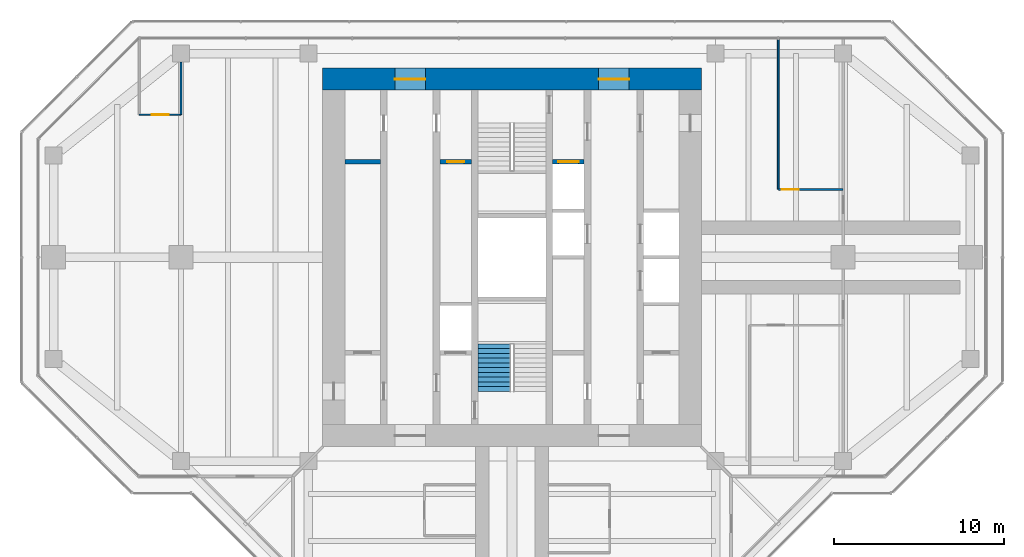
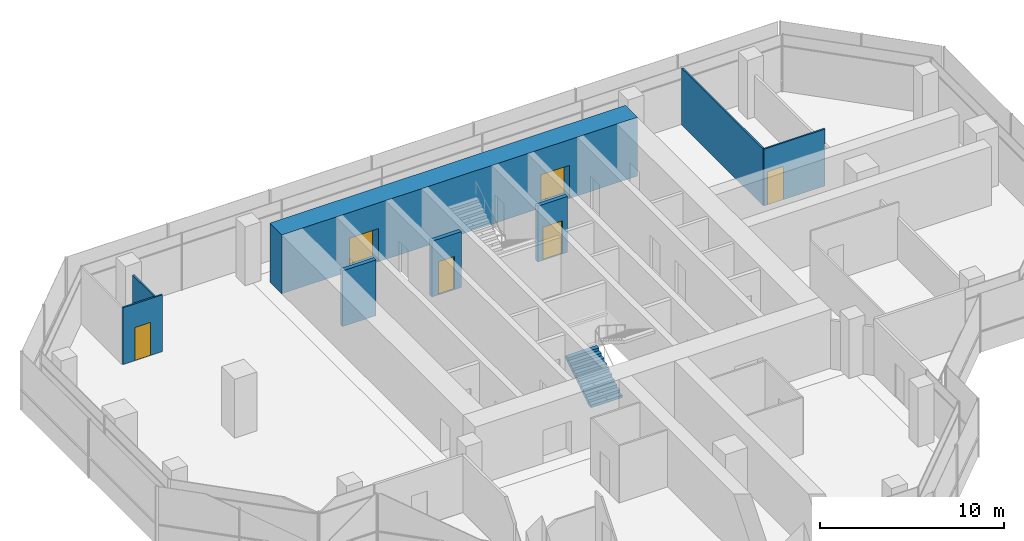
# One storey, part 13 of 15: 8 walls, 6 doors, 1 stair flight, 6 openings, 1 element without a shape of its own.
"""IFC4 building model written with IfcOpenShell, lengths in metres."""

from ifc_helpers import new_model, si_unit, direction, frame, frame_2d, origin, place, context, subcontext, project, spatial, polyline, rectangle, outline, extrude, material, layer, layer_set, type_object, element, fill, aggregate, save


model = new_model("IFC4")

# Units and contexts
model_context = context("Model", 3, precision=1e-05, world=origin(), true_north=direction((0.0, 1.0)))
body_context = subcontext(model_context, "Body", "Model", "MODEL_VIEW")
ifc_project = project(units=[si_unit("LENGTHUNIT", "METRE"), si_unit("AREAUNIT", "SQUARE_METRE"), si_unit("VOLUMEUNIT", "CUBIC_METRE"), si_unit("PLANEANGLEUNIT", "RADIAN"), si_unit("MASSUNIT", "GRAM", prefix="KILO")], contexts=[model_context])

# Site, building, storey
site_placement = place(None, origin())
site = spatial("IfcSite", under=ifc_project, at=site_placement, CompositionType="ELEMENT")
building_placement = place(site_placement, origin())
building = spatial("IfcBuilding", under=site, at=building_placement, Name="Mizan Broadcast Tower", CompositionType="ELEMENT")
storey_placement = place(building_placement, frame((0.0, 0.0, 275.10009765625)))
storey = spatial("IfcBuildingStorey", under=building, at=storey_placement, Name="L65", CompositionType="ELEMENT", Elevation=275.10009765625)

# Wall, openings, doors
ifc_material_1 = material(Name="Concrete C70/85", Category="concrete")
ifc_layer_1 = layer(ifc_material_1, 1.300048828125)
ifc_layer_set_1 = layer_set([ifc_layer_1], Name="Concrete C70/85")
wall_type_1 = type_object("IfcWallType", Name="CORE WALL 1300", PredefinedType="SHEAR", material=ifc_layer_set_1)
wall_1_placement = place(storey_placement, frame((-11.14990234375, 10.5, 0.0), z_axis=(0.0, 0.0, 1.0), x_axis=(1.0, 0.0, 0.0)))
wall_1 = element("IfcWall", 1, at=wall_1_placement, inside=storey, type_object=wall_type_1, Name="Core wall N L65", PredefinedType="SHEAR", context=body_context, shape_type="SweptSolid", body=[
    extrude(rectangle(XDim=22.2998046875, YDim=1.300048828125, at=frame_2d((11.14990234375, 0.0))), origin(), (0.0, 0.0, 1.0), 3.89990234375),
])
opening_1_placement = place(wall_1_placement, frame((4.25, 0.0, 0.0)))
opening_1 = element("IfcOpeningElement", 2, at=opening_1_placement, cuts=wall_1, Name="Opening D18F", PredefinedType="OPENING", context=body_context, shape_type="SweptSolid", body=[
    extrude(rectangle(XDim=1.800048828125, YDim=2.199951171875, at=frame_2d((0.89990234375, 1.10009765625))), frame((0.0, 0.659912109375, 0.0), z_axis=(0.0, -1.0, 0.0), x_axis=(1.0, 0.0, 0.0)), (0.0, 0.0, 1.0), 1.320068359375),
])
opening_2_placement = place(wall_1_placement, frame((16.25, 0.0, 0.0)))
opening_2 = element("IfcOpeningElement", 3, at=opening_2_placement, cuts=wall_1, Name="Opening D18F", PredefinedType="OPENING", context=body_context, shape_type="SweptSolid", body=[
    extrude(rectangle(XDim=1.800048828125, YDim=2.199951171875, at=frame_2d((0.89990234375, 1.10009765625))), frame((0.0, 0.659912109375, 0.0), z_axis=(0.0, -1.0, 0.0), x_axis=(1.0, 0.0, 0.0)), (0.0, 0.0, 1.0), 1.320068359375),
])
ifc_material_2 = material(Name="Steel door leaf in steel frame", Category="steel")
door_type_1 = type_object("IfcDoorType", Name="LOBBY DOUBLE DOOR 1800 FD90", OperationType="DOUBLE_DOOR_DOUBLE_SWING", PredefinedType="DOOR", material=ifc_material_2)
door_1_placement = place(opening_1_placement, origin())
door_1 = element("IfcDoor", 4, at=door_1_placement, inside=storey, type_object=door_type_1, Name="West lift lobby north door", OperationType="DOUBLE_DOOR_DOUBLE_SWING", OverallHeight=2.199951171875, OverallWidth=1.800048828125, PredefinedType="DOOR", context=body_context, shape_type="SweptSolid", body=[
    extrude(rectangle(XDim=1.800048828125, YDim=2.199951171875, at=frame_2d((0.89990234375, 1.10009765625))), frame((0.0, 0.02490234375, 0.0), z_axis=(0.0, -1.0, 0.0), x_axis=(1.0, 0.0, 0.0)), (0.0, 0.0, 1.0), 0.050048828125),
])
fill(opening_1, door_1)
door_2_placement = place(opening_2_placement, origin())
door_2 = element("IfcDoor", 5, at=door_2_placement, inside=storey, type_object=door_type_1, Name="East lift lobby north door", OperationType="DOUBLE_DOOR_DOUBLE_SWING", OverallHeight=2.199951171875, OverallWidth=1.800048828125, PredefinedType="DOOR", context=body_context, shape_type="SweptSolid", body=[
    extrude(rectangle(XDim=1.800048828125, YDim=2.199951171875, at=frame_2d((0.89990234375, 1.10009765625))), frame((0.0, 0.02490234375, 0.0), z_axis=(0.0, -1.0, 0.0), x_axis=(1.0, 0.0, 0.0)), (0.0, 0.0, 1.0), 0.050048828125),
])
fill(opening_2, door_2)

# Wall
ifc_material_3 = material(Name="Concrete blockwork", Category="masonry")
ifc_layer_2 = layer(ifc_material_3, 0.25)
ifc_layer_set_2 = layer_set([ifc_layer_2], Name="Concrete blockwork")
wall_type_2 = type_object("IfcWallType", Name="LOBBY ENCLOSURE WALL 250", PredefinedType="SOLIDWALL", material=ifc_layer_set_2)
wall_2_placement = place(storey_placement, frame((-9.85009765625, 5.625, 0.0), z_axis=(0.0, 0.0, 1.0), x_axis=(1.0, 0.0, 0.0)))
element("IfcWall", 6, at=wall_2_placement, inside=storey, type_object=wall_type_2, Name="Lobby enclosure wall CORE/BW1N", PredefinedType="SOLIDWALL", context=body_context, shape_type="SweptSolid", body=[
    extrude(rectangle(XDim=2.10009765625, YDim=0.25, at=frame_2d((1.050048828125, 0.0))), origin(), (0.0, 0.0, 1.0), 3.699951171875),
])

# Wall, opening, door
wall_3_placement = place(storey_placement, frame((-4.25, 5.625, 0.0), z_axis=(0.0, 0.0, 1.0), x_axis=(1.0, 0.0, 0.0)))
wall_3 = element("IfcWall", 7, at=wall_3_placement, inside=storey, type_object=wall_type_2, Name="Lobby enclosure wall CORE/BW2N", PredefinedType="SOLIDWALL", context=body_context, shape_type="SweptSolid", body=[
    extrude(rectangle(XDim=1.85009765625, YDim=0.25, at=frame_2d((0.925048828125, 0.0))), origin(), (0.0, 0.0, 1.0), 3.699951171875),
])
opening_3_placement = place(wall_3_placement, frame((0.425048828125, 0.0, 0.0)))
opening_3 = element("IfcOpeningElement", 8, at=opening_3_placement, cuts=wall_3, Name="Opening D10F", PredefinedType="OPENING", context=body_context, shape_type="SweptSolid", body=[
    extrude(rectangle(XDim=1.0, YDim=2.199951171875, at=frame_2d((0.5, 1.10009765625))), frame((0.0, 0.135009765625, 0.0), z_axis=(0.0, -1.0, 0.0), x_axis=(1.0, 0.0, 0.0)), (0.0, 0.0, 1.0), 0.27001953125),
])
ifc_material_4 = material(Name="Steel door leaf in steel frame", Category="steel")
door_type_2 = type_object("IfcDoorType", Name="FIRE DOOR 1000 FD90", OperationType="SINGLE_SWING_LEFT", PredefinedType="DOOR", material=ifc_material_4)
door_3_placement = place(opening_3_placement, origin())
door_3 = element("IfcDoor", 9, at=door_3_placement, inside=storey, type_object=door_type_2, Name="Accessible shower room door", OperationType="SINGLE_SWING_RIGHT", OverallHeight=2.199951171875, OverallWidth=1.0, PredefinedType="DOOR", context=body_context, shape_type="SweptSolid", body=[
    extrude(rectangle(XDim=1.0, YDim=2.199951171875, at=frame_2d((0.5, 1.10009765625))), frame((0.0, 0.02490234375, 0.0), z_axis=(0.0, -1.0, 0.0), x_axis=(1.0, 0.0, 0.0)), (0.0, 0.0, 1.0), 0.050048828125),
])
fill(opening_3, door_3)

wall_4_placement = place(storey_placement, frame((2.39990234375, 5.625, 0.0), z_axis=(0.0, 0.0, 1.0), x_axis=(1.0, 0.0, 0.0)))
wall_4 = element("IfcWall", 10, at=wall_4_placement, inside=storey, type_object=wall_type_2, Name="Lobby enclosure wall CORE/BE2N", PredefinedType="SOLIDWALL", context=body_context, shape_type="SweptSolid", body=[
    extrude(rectangle(XDim=1.85009765625, YDim=0.25, at=frame_2d((0.925048828125, 0.0))), origin(), (0.0, 0.0, 1.0), 3.699951171875),
])
opening_4_placement = place(wall_4_placement, frame((0.324951171875, 0.0, 0.0)))
opening_4 = element("IfcOpeningElement", 11, at=opening_4_placement, cuts=wall_4, Name="Opening LDF", PredefinedType="OPENING", context=body_context, shape_type="SweptSolid", body=[
    extrude(rectangle(XDim=1.199951171875, YDim=2.199951171875, at=frame_2d((0.60009765625, 1.10009765625))), frame((0.0, 0.135009765625, 0.0), z_axis=(0.0, -1.0, 0.0), x_axis=(1.0, 0.0, 0.0)), (0.0, 0.0, 1.0), 0.27001953125),
])
ifc_material_5 = material(Name="Steel door leaf in steel frame", Category="steel")
door_type_3 = type_object("IfcDoorType", Name="FIREFIGHTING LIFT LANDING DOOR 1200", OperationType="SLIDING_TO_LEFT", PredefinedType="DOOR", material=ifc_material_5)
door_4_placement = place(opening_4_placement, origin())
door_4 = element("IfcDoor", 12, at=door_4_placement, inside=storey, type_object=door_type_3, Name="Landing door FF2", OperationType="SLIDING_TO_LEFT", OverallHeight=2.199951171875, OverallWidth=1.199951171875, PredefinedType="DOOR", context=body_context, shape_type="SweptSolid", body=[
    extrude(rectangle(XDim=1.199951171875, YDim=2.199951171875, at=frame_2d((0.60009765625, 1.10009765625))), frame((0.0, 0.02490234375, 0.0), z_axis=(0.0, -1.0, 0.0), x_axis=(1.0, 0.0, 0.0)), (0.0, 0.0, 1.0), 0.050048828125),
])
fill(opening_4, door_4)

ifc_material_6 = material(Name="Glazed aluminium partition on aluminium track", Category="aluminium")
ifc_layer_3 = layer(ifc_material_6, 0.10009765625)
ifc_layer_set_3 = layer_set([ifc_layer_3], Name="Glazed aluminium partition on aluminium track")
wall_type_3 = type_object("IfcWallType", Name="PARTITION GLAZED OFFICE FRONT 100", PredefinedType="PARTITIONING", material=ifc_layer_set_3)
wall_5_placement = place(storey_placement, frame((15.68505859375, 4.0, 0.0), z_axis=(0.0, 0.0, 1.0), x_axis=(1.0, 0.0, 0.0)))
wall_5 = element("IfcWall", 13, at=wall_5_placement, inside=storey, type_object=wall_type_3, Name="Glazed office front PT/ECP0", PredefinedType="PARTITIONING", context=body_context, shape_type="SweptSolid", body=[
    extrude(rectangle(XDim=3.81494140625, YDim=0.10009765625, at=frame_2d((1.907470703125, 0.0))), origin(), (0.0, 0.0, 1.0), 3.77001953125),
])
opening_5_placement = place(wall_5_placement, frame((0.20751953125, 0.0, 0.0)))
opening_5 = element("IfcOpeningElement", 14, at=opening_5_placement, cuts=wall_5, Name="Opening D10O", PredefinedType="OPENING", context=body_context, shape_type="SweptSolid", body=[
    extrude(rectangle(XDim=1.0, YDim=2.199951171875, at=frame_2d((0.5, 1.10009765625))), frame((0.0, 0.06005859375, 0.0), z_axis=(0.0, -1.0, 0.0), x_axis=(1.0, 0.0, 0.0)), (0.0, 0.0, 1.0), 0.1201171875),
])
ifc_material_7 = material(Name="Timber door leaf in aluminium frame", Category="wood")
door_type_4 = type_object("IfcDoorType", Name="OFFICE DOOR 1000 GLAZED", OperationType="SINGLE_SWING_LEFT", PredefinedType="DOOR", material=ifc_material_7)
door_5_placement = place(opening_5_placement, origin())
door_5 = element("IfcDoor", 15, at=door_5_placement, inside=storey, type_object=door_type_4, Name="Engineering office door", OperationType="SINGLE_SWING_LEFT", OverallHeight=2.199951171875, OverallWidth=1.0, PredefinedType="DOOR", context=body_context, shape_type="SweptSolid", body=[
    extrude(rectangle(XDim=1.0, YDim=2.199951171875, at=frame_2d((0.5, 1.10009765625))), frame((0.0, 0.02490234375, 0.0), z_axis=(0.0, -1.0, 0.0), x_axis=(1.0, 0.0, 0.0)), (0.0, 0.0, 1.0), 0.050048828125),
])
fill(opening_5, door_5)

# Wall
wall_6_placement = place(storey_placement, frame((15.68505859375, 4.0, 0.0), z_axis=(0.0, 0.0, 1.0), x_axis=(0.0, 1.0, 0.0)))
element("IfcWall", 16, at=wall_6_placement, inside=storey, type_object=wall_type_3, Name="Glazed office front PT/EQP1568", PredefinedType="PARTITIONING", context=body_context, shape_type="SweptSolid", body=[
    extrude(rectangle(XDim=8.820068359375, YDim=0.10009765625, at=frame_2d((4.41015625, 0.0))), origin(), (0.0, 0.0, 1.0), 3.77001953125),
])

# Wall, opening, door
wall_7_placement = place(storey_placement, frame((-19.5, 8.39990234375, 0.0), z_axis=(0.0, 0.0, 1.0), x_axis=(-1.0, 0.0, 0.0)))
wall_7 = element("IfcWall", 17, at=wall_7_placement, inside=storey, type_object=wall_type_3, Name="Glazed office front PT/WCN0", PredefinedType="PARTITIONING", context=body_context, shape_type="SweptSolid", body=[
    extrude(rectangle(XDim=2.458984375, YDim=0.10009765625, at=frame_2d((1.2294921875, 0.0))), origin(), (0.0, 0.0, 1.0), 3.77001953125),
])
opening_6_placement = place(wall_7_placement, frame((0.7294921875, 0.0, 0.0)))
opening_6 = element("IfcOpeningElement", 18, at=opening_6_placement, cuts=wall_7, Name="Opening D10O", PredefinedType="OPENING", context=body_context, shape_type="SweptSolid", body=[
    extrude(rectangle(XDim=1.0, YDim=2.199951171875, at=frame_2d((0.5, 1.10009765625))), frame((0.0, 0.06005859375, 0.0), z_axis=(0.0, -1.0, 0.0), x_axis=(1.0, 0.0, 0.0)), (0.0, 0.0, 1.0), 0.1201171875),
])
door_6_placement = place(opening_6_placement, origin())
door_6 = element("IfcDoor", 19, at=door_6_placement, inside=storey, type_object=door_type_4, Name="Office door", OperationType="SINGLE_SWING_LEFT", OverallHeight=2.199951171875, OverallWidth=1.0, PredefinedType="DOOR", context=body_context, shape_type="SweptSolid", body=[
    extrude(rectangle(XDim=1.0, YDim=2.199951171875, at=frame_2d((0.5, 1.10009765625))), frame((0.0, 0.02490234375, 0.0), z_axis=(0.0, -1.0, 0.0), x_axis=(1.0, 0.0, 0.0)), (0.0, 0.0, 1.0), 0.050048828125),
])
fill(opening_6, door_6)

# Wall
wall_8_placement = place(storey_placement, frame((-19.5, 8.39990234375, 0.0), z_axis=(0.0, 0.0, 1.0), x_axis=(0.0, 1.0, 0.0)))
element("IfcWall", 20, at=wall_8_placement, inside=storey, type_object=wall_type_3, Name="Glazed office front PT/WQN1950", PredefinedType="PARTITIONING", context=body_context, shape_type="SweptSolid", body=[
    extrude(rectangle(XDim=3.10009765625, YDim=0.10009765625, at=frame_2d((1.550048828125, 0.0))), origin(), (0.0, 0.0, 1.0), 3.179931640625),
])

# Stair, stair flight
ifc_material_8 = material(Name="Concrete C40/50", Category="concrete")
stair_type = type_object("IfcStairType", Name="EXIT STAIR", PredefinedType="HALF_TURN_STAIR", material=ifc_material_8)
stair_placement = place(storey_placement, origin())
stair = element("IfcStair", 21, at=stair_placement, inside=storey, type_object=stair_type, Name="Stair A L65", PredefinedType="HALF_TURN_STAIR")
ifc_material_9 = material(Name="Concrete C40/50", Category="concrete")
stair_flight_type = type_object("IfcStairFlightType", Name="EXIT STAIR FLIGHT", PredefinedType="STRAIGHT", material=ifc_material_9)
stair_flight_placement = place(storey_placement, frame((-1.02490234375, -7.89990234375, 0.0), z_axis=(0.0, 0.0, 1.0), x_axis=(0.0, 1.0, 0.0)))
stair_flight = element("IfcStairFlight", 22, at=stair_flight_placement, type_object=stair_flight_type, Name="A flight 1", NumberOfRisers=11, NumberOfTreads=10, PredefinedType="STRAIGHT", RiserHeight=0.177272727, TreadLength=0.28, context=body_context, shape_type="SweptSolid", body=[
    extrude(outline(polyline([(0.0, 0.0), (0.0, 0.17724609375), (0.280029296875, 0.17724609375), (0.280029296875, 0.3544921875), (0.56005859375, 0.3544921875), (0.56005859375, 0.53173828125), (0.840087890625, 0.53173828125), (0.840087890625, 0.708984375), (1.1201171875, 0.708984375), (1.1201171875, 0.886474609375), (1.39990234375, 0.886474609375), (1.39990234375, 1.063720703125), (1.679931640625, 1.063720703125), (1.679931640625, 1.240966796875), (1.9599609375, 1.240966796875), (1.9599609375, 1.418212890625), (2.239990234375, 1.418212890625), (2.239990234375, 1.595458984375), (2.52001953125, 1.595458984375), (2.52001953125, 1.772705078125), (2.800048828125, 1.772705078125), (2.800048828125, 1.949951171875), (2.800048828125, 1.59521484375), (0.2802734375, 0.0), (0.0, 0.0)])), frame((0.0, 0.97509765625, 0.0), z_axis=(0.0, -1.0, 0.0), x_axis=(1.0, 0.0, 0.0)), (0.0, 0.0, 1.0), 0.4873046875),
    extrude(outline(polyline([(0.0, 0.0), (0.0, 0.17724609375), (0.280029296875, 0.17724609375), (0.280029296875, 0.3544921875), (0.56005859375, 0.3544921875), (0.56005859375, 0.53173828125), (0.840087890625, 0.53173828125), (0.840087890625, 0.708984375), (1.1201171875, 0.708984375), (1.1201171875, 0.886474609375), (1.39990234375, 0.886474609375), (1.39990234375, 1.063720703125), (1.679931640625, 1.063720703125), (1.679931640625, 1.240966796875), (1.9599609375, 1.240966796875), (1.9599609375, 1.418212890625), (2.239990234375, 1.418212890625), (2.239990234375, 1.595458984375), (2.52001953125, 1.595458984375), (2.52001953125, 1.772705078125), (2.800048828125, 1.772705078125), (2.800048828125, 1.949951171875), (2.800048828125, 1.59521484375), (0.2802734375, 0.0), (0.0, 0.0)])), frame((0.0, 0.4873046875, 0.0), z_axis=(0.0, -1.0, 0.0), x_axis=(1.0, 0.0, 0.0)), (0.0, 0.0, 1.0), 0.2431640625),
    extrude(outline(polyline([(0.0, 0.0), (0.0, 0.17724609375), (0.280029296875, 0.17724609375), (0.280029296875, 0.3544921875), (0.56005859375, 0.3544921875), (0.56005859375, 0.53173828125), (0.840087890625, 0.53173828125), (0.840087890625, 0.708984375), (1.1201171875, 0.708984375), (1.1201171875, 0.886474609375), (1.39990234375, 0.886474609375), (1.39990234375, 1.063720703125), (1.679931640625, 1.063720703125), (1.679931640625, 1.240966796875), (1.9599609375, 1.240966796875), (1.9599609375, 1.418212890625), (2.239990234375, 1.418212890625), (2.239990234375, 1.595458984375), (2.52001953125, 1.595458984375), (2.52001953125, 1.772705078125), (2.800048828125, 1.772705078125), (2.800048828125, 1.949951171875), (2.800048828125, 1.59521484375), (0.2802734375, 0.0), (0.0, 0.0)])), frame((0.0, 0.24365234375, 0.0), z_axis=(0.0, -1.0, 0.0), x_axis=(1.0, 0.0, 0.0)), (0.0, 0.0, 1.0), 0.121337890625),
    extrude(outline(polyline([(0.0, 0.0), (0.0, 0.17724609375), (0.280029296875, 0.17724609375), (0.280029296875, 0.3544921875), (0.56005859375, 0.3544921875), (0.56005859375, 0.53173828125), (0.840087890625, 0.53173828125), (0.840087890625, 0.708984375), (1.1201171875, 0.708984375), (1.1201171875, 0.886474609375), (1.39990234375, 0.886474609375), (1.39990234375, 1.063720703125), (1.679931640625, 1.063720703125), (1.679931640625, 1.240966796875), (1.9599609375, 1.240966796875), (1.9599609375, 1.418212890625), (2.239990234375, 1.418212890625), (2.239990234375, 1.595458984375), (2.52001953125, 1.595458984375), (2.52001953125, 1.772705078125), (2.800048828125, 1.772705078125), (2.800048828125, 1.949951171875), (2.800048828125, 1.59521484375), (0.2802734375, 0.0), (0.0, 0.0)])), frame((0.0, 0.121826171875, 0.0), z_axis=(0.0, -1.0, 0.0), x_axis=(1.0, 0.0, 0.0)), (0.0, 0.0, 1.0), 0.060546875),
    extrude(outline(polyline([(0.0, 0.0), (0.0, 0.17724609375), (0.280029296875, 0.17724609375), (0.280029296875, 0.3544921875), (0.56005859375, 0.3544921875), (0.56005859375, 0.53173828125), (0.840087890625, 0.53173828125), (0.840087890625, 0.708984375), (1.1201171875, 0.708984375), (1.1201171875, 0.886474609375), (1.39990234375, 0.886474609375), (1.39990234375, 1.063720703125), (1.679931640625, 1.063720703125), (1.679931640625, 1.240966796875), (1.9599609375, 1.240966796875), (1.9599609375, 1.418212890625), (2.239990234375, 1.418212890625), (2.239990234375, 1.595458984375), (2.52001953125, 1.595458984375), (2.52001953125, 1.772705078125), (2.800048828125, 1.772705078125), (2.800048828125, 1.949951171875), (2.800048828125, 1.59521484375), (0.2802734375, 0.0), (0.0, 0.0)])), frame((0.0, 0.060791015625, 0.0), z_axis=(0.0, -1.0, 0.0), x_axis=(1.0, 0.0, 0.0)), (0.0, 0.0, 1.0), 0.030029296875),
    extrude(outline(polyline([(0.0, 0.0), (0.0, 0.17724609375), (0.280029296875, 0.17724609375), (0.280029296875, 0.3544921875), (0.56005859375, 0.3544921875), (0.56005859375, 0.53173828125), (0.840087890625, 0.53173828125), (0.840087890625, 0.708984375), (1.1201171875, 0.708984375), (1.1201171875, 0.886474609375), (1.39990234375, 0.886474609375), (1.39990234375, 1.063720703125), (1.679931640625, 1.063720703125), (1.679931640625, 1.240966796875), (1.9599609375, 1.240966796875), (1.9599609375, 1.418212890625), (2.239990234375, 1.418212890625), (2.239990234375, 1.595458984375), (2.52001953125, 1.595458984375), (2.52001953125, 1.772705078125), (2.800048828125, 1.772705078125), (2.800048828125, 1.949951171875), (2.800048828125, 1.59521484375), (0.2802734375, 0.0), (0.0, 0.0)])), frame((0.0, 0.0302734375, 0.0), z_axis=(0.0, -1.0, 0.0), x_axis=(1.0, 0.0, 0.0)), (0.0, 0.0, 1.0), 0.060302734375),
    extrude(outline(polyline([(0.0, 0.0), (0.0, 0.17724609375), (0.280029296875, 0.17724609375), (0.280029296875, 0.3544921875), (0.56005859375, 0.3544921875), (0.56005859375, 0.53173828125), (0.840087890625, 0.53173828125), (0.840087890625, 0.708984375), (1.1201171875, 0.708984375), (1.1201171875, 0.886474609375), (1.39990234375, 0.886474609375), (1.39990234375, 1.063720703125), (1.679931640625, 1.063720703125), (1.679931640625, 1.240966796875), (1.9599609375, 1.240966796875), (1.9599609375, 1.418212890625), (2.239990234375, 1.418212890625), (2.239990234375, 1.595458984375), (2.52001953125, 1.595458984375), (2.52001953125, 1.772705078125), (2.800048828125, 1.772705078125), (2.800048828125, 1.949951171875), (2.800048828125, 1.59521484375), (0.2802734375, 0.0), (0.0, 0.0)])), frame((0.0, -0.030517578125, 0.0), z_axis=(0.0, -1.0, 0.0), x_axis=(1.0, 0.0, 0.0)), (0.0, 0.0, 1.0), 0.030029296875),
    extrude(outline(polyline([(0.0, 0.0), (0.0, 0.17724609375), (0.280029296875, 0.17724609375), (0.280029296875, 0.3544921875), (0.56005859375, 0.3544921875), (0.56005859375, 0.53173828125), (0.840087890625, 0.53173828125), (0.840087890625, 0.708984375), (1.1201171875, 0.708984375), (1.1201171875, 0.886474609375), (1.39990234375, 0.886474609375), (1.39990234375, 1.063720703125), (1.679931640625, 1.063720703125), (1.679931640625, 1.240966796875), (1.9599609375, 1.240966796875), (1.9599609375, 1.418212890625), (2.239990234375, 1.418212890625), (2.239990234375, 1.595458984375), (2.52001953125, 1.595458984375), (2.52001953125, 1.772705078125), (2.800048828125, 1.772705078125), (2.800048828125, 1.949951171875), (2.800048828125, 1.59521484375), (0.2802734375, 0.0), (0.0, 0.0)])), frame((0.0, -0.06103515625, 0.0), z_axis=(0.0, -1.0, 0.0), x_axis=(1.0, 0.0, 0.0)), (0.0, 0.0, 1.0), 0.060546875),
    extrude(outline(polyline([(0.0, 0.0), (0.0, 0.17724609375), (0.280029296875, 0.17724609375), (0.280029296875, 0.3544921875), (0.56005859375, 0.3544921875), (0.56005859375, 0.53173828125), (0.840087890625, 0.53173828125), (0.840087890625, 0.708984375), (1.1201171875, 0.708984375), (1.1201171875, 0.886474609375), (1.39990234375, 0.886474609375), (1.39990234375, 1.063720703125), (1.679931640625, 1.063720703125), (1.679931640625, 1.240966796875), (1.9599609375, 1.240966796875), (1.9599609375, 1.418212890625), (2.239990234375, 1.418212890625), (2.239990234375, 1.595458984375), (2.52001953125, 1.595458984375), (2.52001953125, 1.772705078125), (2.800048828125, 1.772705078125), (2.800048828125, 1.949951171875), (2.800048828125, 1.59521484375), (0.2802734375, 0.0), (0.0, 0.0)])), frame((0.0, -0.1220703125, 0.0), z_axis=(0.0, -1.0, 0.0), x_axis=(1.0, 0.0, 0.0)), (0.0, 0.0, 1.0), 0.121337890625),
    extrude(outline(polyline([(0.0, 0.0), (0.0, 0.17724609375), (0.280029296875, 0.17724609375), (0.280029296875, 0.3544921875), (0.56005859375, 0.3544921875), (0.56005859375, 0.53173828125), (0.840087890625, 0.53173828125), (0.840087890625, 0.708984375), (1.1201171875, 0.708984375), (1.1201171875, 0.886474609375), (1.39990234375, 0.886474609375), (1.39990234375, 1.063720703125), (1.679931640625, 1.063720703125), (1.679931640625, 1.240966796875), (1.9599609375, 1.240966796875), (1.9599609375, 1.418212890625), (2.239990234375, 1.418212890625), (2.239990234375, 1.595458984375), (2.52001953125, 1.595458984375), (2.52001953125, 1.772705078125), (2.800048828125, 1.772705078125), (2.800048828125, 1.949951171875), (2.800048828125, 1.59521484375), (0.2802734375, 0.0), (0.0, 0.0)])), frame((0.0, -0.243896484375, 0.0), z_axis=(0.0, -1.0, 0.0), x_axis=(1.0, 0.0, 0.0)), (0.0, 0.0, 1.0), 0.2431640625),
    extrude(outline(polyline([(0.0, 0.0), (0.0, 0.17724609375), (0.280029296875, 0.17724609375), (0.280029296875, 0.3544921875), (0.56005859375, 0.3544921875), (0.56005859375, 0.53173828125), (0.840087890625, 0.53173828125), (0.840087890625, 0.708984375), (1.1201171875, 0.708984375), (1.1201171875, 0.886474609375), (1.39990234375, 0.886474609375), (1.39990234375, 1.063720703125), (1.679931640625, 1.063720703125), (1.679931640625, 1.240966796875), (1.9599609375, 1.240966796875), (1.9599609375, 1.418212890625), (2.239990234375, 1.418212890625), (2.239990234375, 1.595458984375), (2.52001953125, 1.595458984375), (2.52001953125, 1.772705078125), (2.800048828125, 1.772705078125), (2.800048828125, 1.949951171875), (2.800048828125, 1.59521484375), (0.2802734375, 0.0), (0.0, 0.0)])), frame((0.0, -0.487548828125, 0.0), z_axis=(0.0, -1.0, 0.0), x_axis=(1.0, 0.0, 0.0)), (0.0, 0.0, 1.0), 0.4873046875),
])
aggregate(stair, [stair_flight])

save(model, "model.ifc")
